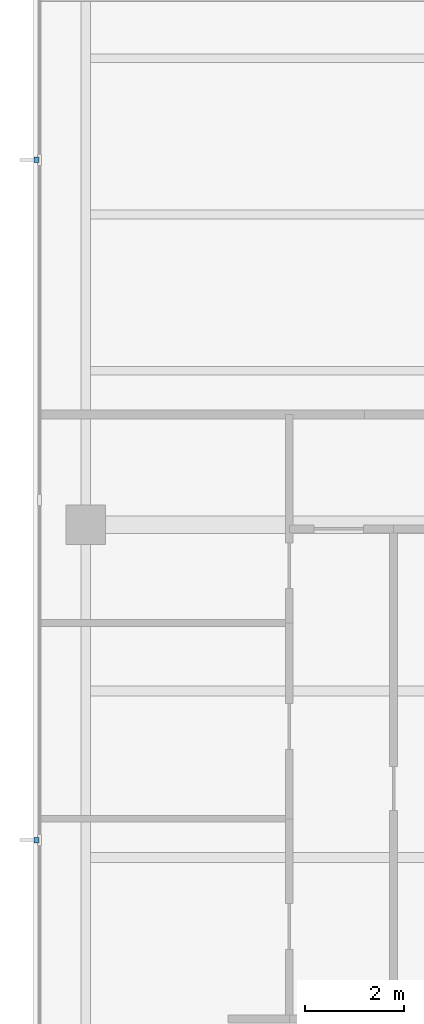
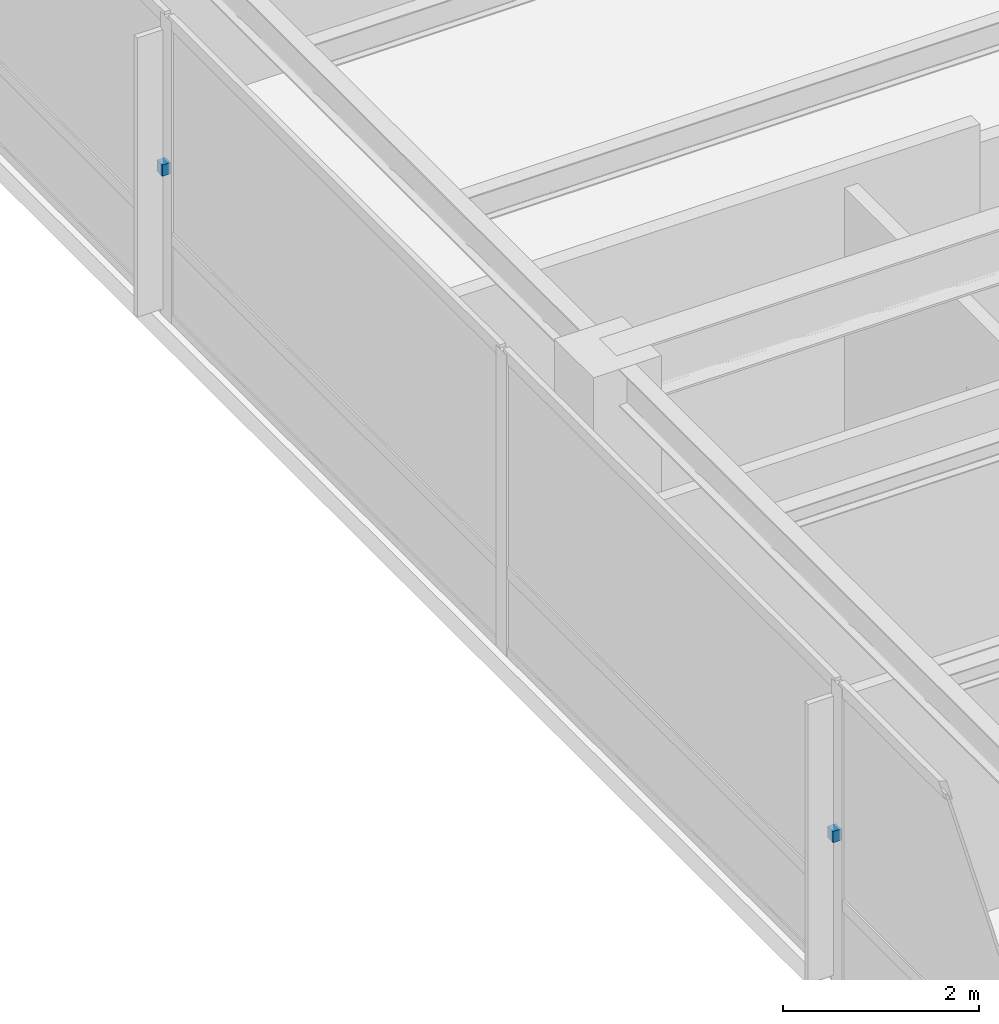
# One storey, part 9 of 11: 2 discrete accessories.
"""IFC4 building model written with IfcOpenShell, lengths in metres."""

from ifc_helpers import new_model, si_unit, direction, frame, origin, place, context, subcontext, project, spatial, polyline, outline, extrude, material, type_object, element, save


model = new_model("IFC4")

# Units and contexts
model_context = context("Model", 3, precision=1e-05, world=origin(), true_north=direction((0.0, 1.0)))
body_context = subcontext(model_context, "Body", "Model", "MODEL_VIEW")
ifc_project = project(units=[si_unit("LENGTHUNIT", "METRE"), si_unit("AREAUNIT", "SQUARE_METRE"), si_unit("VOLUMEUNIT", "CUBIC_METRE"), si_unit("PLANEANGLEUNIT", "RADIAN"), si_unit("MASSUNIT", "GRAM", prefix="KILO")], contexts=[model_context])

# Site, building, storey
site_placement = place(None, origin())
site = spatial("IfcSite", under=ifc_project, at=site_placement, CompositionType="ELEMENT")
building_placement = place(site_placement, origin())
building = spatial("IfcBuilding", under=site, at=building_placement, Name="Qalmaran Belvedere Hotel", CompositionType="ELEMENT")
storey_placement = place(building_placement, frame((0.0, 0.0, 289.89990234375)))
storey = spatial("IfcBuildingStorey", under=building, at=storey_placement, Name="L75", CompositionType="ELEMENT", Elevation=289.89990234375)

# Discrete accessories
ifc_material = material(Name="Stainless Steel 1.4401", Category="steel")
discrete_accessory_type = type_object("IfcDiscreteAccessoryType", Name="BRK-FIN-SS316", PredefinedType="BRACKET", material=ifc_material)
discrete_accessory_1_placement = place(storey_placement, frame((0.0, 0.0, 1.830078125)))
element("IfcDiscreteAccessory", 1, at=discrete_accessory_1_placement, inside=storey, type_object=discrete_accessory_type, Name="L75 Fin Bracket 1", PredefinedType="BRACKET", context=body_context, shape_type="SweptSolid", body=[
    extrude(outline(polyline([(11.455078125, 27.905029296875), (11.357421875, 27.905029296875), (11.357421875, 27.794921875), (11.455078125, 27.794921875), (11.455078125, 27.905029296875)])), origin(), (0.0, 0.0, 1.0), 0.14013671875),
])
discrete_accessory_2_placement = place(storey_placement, frame((0.0, 0.0, 1.830078125)))
element("IfcDiscreteAccessory", 2, at=discrete_accessory_2_placement, inside=storey, type_object=discrete_accessory_type, Name="L75 Fin Bracket 3", PredefinedType="BRACKET", context=body_context, shape_type="SweptSolid", body=[
    extrude(outline(polyline([(11.455078125, 14.205078125), (11.357421875, 14.205078125), (11.357421875, 14.094970703125), (11.455078125, 14.094970703125), (11.455078125, 14.205078125)])), origin(), (0.0, 0.0, 1.0), 0.14013671875),
])

save(model, "model.ifc")
